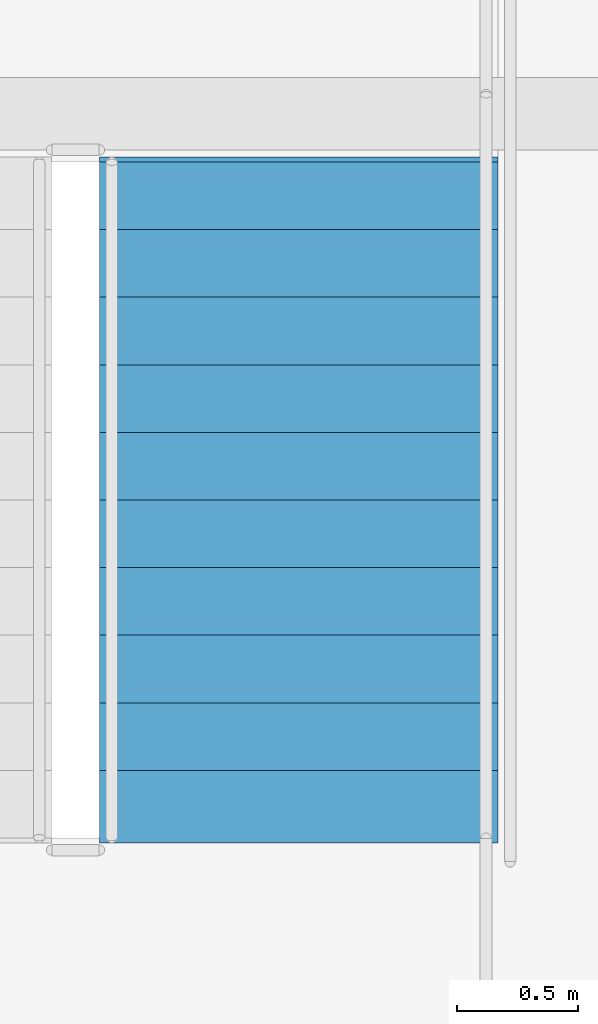
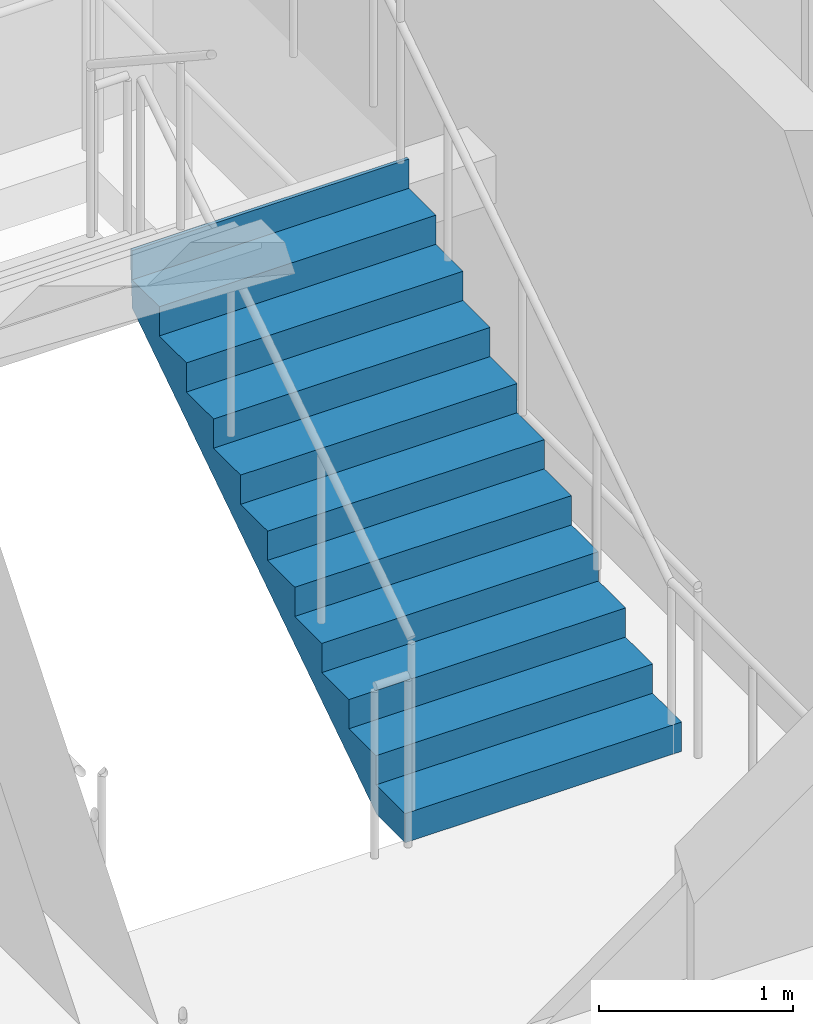
# One storey, part 37 of 42: 1 stair flight, 1 element without a shape of its own.
"""IFC4 building model written with IfcOpenShell, lengths in metres."""

from ifc_helpers import new_model, si_unit, direction, frame, origin, place, context, subcontext, project, spatial, polygons, material, type_object, element, aggregate, save


model = new_model("IFC4")

# Units and contexts
model_context = context("Model", 3, precision=1e-05, world=origin(), true_north=direction((0.0, 1.0)))
body_context = subcontext(model_context, "Body", "Model", "MODEL_VIEW")
ifc_project = project(units=[si_unit("LENGTHUNIT", "METRE"), si_unit("AREAUNIT", "SQUARE_METRE"), si_unit("VOLUMEUNIT", "CUBIC_METRE"), si_unit("PLANEANGLEUNIT", "RADIAN"), si_unit("MASSUNIT", "GRAM", prefix="KILO")], contexts=[model_context])

# Site, building, storey
site_placement = place(None, origin())
site = spatial("IfcSite", under=ifc_project, at=site_placement, CompositionType="ELEMENT")
building_placement = place(site_placement, origin())
building = spatial("IfcBuilding", under=site, at=building_placement, Name="Serunith Strait Residences", CompositionType="ELEMENT")
storey_placement = place(building_placement, frame((0.0, 0.0, 309.64990234375)))
storey = spatial("IfcBuildingStorey", under=building, at=storey_placement, Name="L77", CompositionType="ELEMENT", Elevation=309.64990234375)

# Stair, stair flight
ifc_material = material(Name="Concrete C50/60", Category="concrete")
stair_type = type_object("IfcStairType", Name="STR-CORE-1", PredefinedType="HALF_TURN_STAIR", material=ifc_material)
stair_placement = place(storey_placement, origin())
stair = element("IfcStair", 1, at=stair_placement, inside=storey, type_object=stair_type, Name="L77 Protected Escape Stair ST-1", PredefinedType="HALF_TURN_STAIR")
stair_flight_type = type_object("IfcStairFlightType", Name="FLT-CORE-1", PredefinedType="STRAIGHT", material=ifc_material)
stair_flight_placement = place(storey_placement, frame((26.324951171875, 27.030029296875, 0.0), z_axis=(0.0, 0.0, 1.0), x_axis=(0.0, 1.0, 0.0)))
stair_flight = element("IfcStairFlight", 2, at=stair_flight_placement, type_object=stair_flight_type, Name="ST-1 flight 1", NumberOfRisers=11, NumberOfTreads=10, PredefinedType="STRAIGHT", RiserHeight=0.184090909, TreadLength=0.28, context=body_context, shape_type="Tessellation", body=[
    polygons([(-0.02001953125, -0.824951171875, 0.0), (-0.02001953125, -0.824951171875, 0.18408203125), (0.280029296875, -0.824951171875, 0.18408203125), (0.280029296875, -0.824951171875, 0.3681640625), (0.56005859375, -0.824951171875, 0.3681640625), (0.56005859375, -0.824951171875, 0.55224609375), (0.840087890625, -0.824951171875, 0.55224609375), (0.840087890625, -0.824951171875, 0.736328125), (1.1201171875, -0.824951171875, 0.736328125), (1.1201171875, -0.824951171875, 0.92041015625), (1.39990234375, -0.824951171875, 0.92041015625), (1.39990234375, -0.824951171875, 1.1044921875), (1.679931640625, -0.824951171875, 1.1044921875), (1.679931640625, -0.824951171875, 1.28857421875), (1.9599609375, -0.824951171875, 1.28857421875), (1.9599609375, -0.824951171875, 1.47265625), (2.239990234375, -0.824951171875, 1.47265625), (2.239990234375, -0.824951171875, 1.65673828125), (2.52001953125, -0.824951171875, 1.65673828125), (2.52001953125, -0.824951171875, 1.8408203125), (2.800048828125, -0.824951171875, 1.8408203125), (2.800048828125, -0.824951171875, 2.02490234375), (2.820068359375, -0.824951171875, 2.02490234375), (2.820068359375, -0.824951171875, 1.965087890625), (2.800048828125, -0.824951171875, 1.66162109375), (0.27294921875, -0.824951171875, 0.0), (-0.02001953125, -0.41259765625, 0.0), (-0.02001953125, -0.41259765625, 0.18408203125), (0.280029296875, -0.41259765625, 0.18408203125), (0.280029296875, -0.41259765625, 0.3681640625), (0.56005859375, -0.41259765625, 0.3681640625), (0.56005859375, -0.41259765625, 0.55224609375), (0.840087890625, -0.41259765625, 0.55224609375), (0.840087890625, -0.41259765625, 0.736328125), (1.1201171875, -0.41259765625, 0.736328125), (1.1201171875, -0.41259765625, 0.92041015625), (1.39990234375, -0.41259765625, 0.92041015625), (1.39990234375, -0.41259765625, 1.1044921875), (1.679931640625, -0.41259765625, 1.1044921875), (1.679931640625, -0.41259765625, 1.28857421875), (1.9599609375, -0.41259765625, 1.28857421875), (1.9599609375, -0.41259765625, 1.47265625), (2.239990234375, -0.41259765625, 1.47265625), (2.239990234375, -0.41259765625, 1.65673828125), (2.52001953125, -0.41259765625, 1.65673828125), (2.52001953125, -0.41259765625, 1.8408203125), (2.800048828125, -0.41259765625, 1.8408203125), (2.800048828125, -0.41259765625, 2.02490234375), (2.820068359375, -0.41259765625, 2.02490234375), (2.820068359375, -0.41259765625, 1.965087890625), (2.800048828125, -0.41259765625, 1.66162109375), (0.27294921875, -0.41259765625, 0.0), (-0.02001953125, 0.0, 0.0), (-0.02001953125, 0.0, 0.18408203125), (0.280029296875, 0.0, 0.18408203125), (0.280029296875, 0.0, 0.3681640625), (0.56005859375, 0.0, 0.3681640625), (0.56005859375, 0.0, 0.55224609375), (0.840087890625, 0.0, 0.55224609375), (0.840087890625, 0.0, 0.736328125), (1.1201171875, 0.0, 0.736328125), (1.1201171875, 0.0, 0.92041015625), (1.39990234375, 0.0, 0.92041015625), (1.39990234375, 0.0, 1.1044921875), (1.679931640625, 0.0, 1.1044921875), (1.679931640625, 0.0, 1.28857421875), (1.9599609375, 0.0, 1.28857421875), (1.9599609375, 0.0, 1.47265625), (2.239990234375, 0.0, 1.47265625), (2.239990234375, 0.0, 1.65673828125), (2.52001953125, 0.0, 1.65673828125), (2.52001953125, 0.0, 1.8408203125), (2.800048828125, 0.0, 1.8408203125), (2.800048828125, 0.0, 2.02490234375), (2.820068359375, 0.0, 2.02490234375), (2.820068359375, 0.0, 1.965087890625), (2.800048828125, 0.0, 1.66162109375), (0.27294921875, 0.0, 0.0), (-0.02001953125, 0.41259765625, 0.0), (-0.02001953125, 0.41259765625, 0.18408203125), (0.280029296875, 0.41259765625, 0.18408203125), (0.280029296875, 0.41259765625, 0.3681640625), (0.56005859375, 0.41259765625, 0.3681640625), (0.56005859375, 0.41259765625, 0.55224609375), (0.840087890625, 0.41259765625, 0.55224609375), (0.840087890625, 0.41259765625, 0.736328125), (1.1201171875, 0.41259765625, 0.736328125), (1.1201171875, 0.41259765625, 0.92041015625), (1.39990234375, 0.41259765625, 0.92041015625), (1.39990234375, 0.41259765625, 1.1044921875), (1.679931640625, 0.41259765625, 1.1044921875), (1.679931640625, 0.41259765625, 1.28857421875), (1.9599609375, 0.41259765625, 1.28857421875), (1.9599609375, 0.41259765625, 1.47265625), (2.239990234375, 0.41259765625, 1.47265625), (2.239990234375, 0.41259765625, 1.65673828125), (2.52001953125, 0.41259765625, 1.65673828125), (2.52001953125, 0.41259765625, 1.8408203125), (2.800048828125, 0.41259765625, 1.8408203125), (2.800048828125, 0.41259765625, 2.02490234375), (2.820068359375, 0.41259765625, 2.02490234375), (2.820068359375, 0.41259765625, 1.965087890625), (2.800048828125, 0.41259765625, 1.66162109375), (0.27294921875, 0.41259765625, 0.0), (-0.02001953125, 0.824951171875, 0.0), (-0.02001953125, 0.824951171875, 0.18408203125), (0.280029296875, 0.824951171875, 0.18408203125), (0.280029296875, 0.824951171875, 0.3681640625), (0.56005859375, 0.824951171875, 0.3681640625), (0.56005859375, 0.824951171875, 0.55224609375), (0.840087890625, 0.824951171875, 0.55224609375), (0.840087890625, 0.824951171875, 0.736328125), (1.1201171875, 0.824951171875, 0.736328125), (1.1201171875, 0.824951171875, 0.92041015625), (1.39990234375, 0.824951171875, 0.92041015625), (1.39990234375, 0.824951171875, 1.1044921875), (1.679931640625, 0.824951171875, 1.1044921875), (1.679931640625, 0.824951171875, 1.28857421875), (1.9599609375, 0.824951171875, 1.28857421875), (1.9599609375, 0.824951171875, 1.47265625), (2.239990234375, 0.824951171875, 1.47265625), (2.239990234375, 0.824951171875, 1.65673828125), (2.52001953125, 0.824951171875, 1.65673828125), (2.52001953125, 0.824951171875, 1.8408203125), (2.800048828125, 0.824951171875, 1.8408203125), (2.800048828125, 0.824951171875, 2.02490234375), (2.820068359375, 0.824951171875, 2.02490234375), (2.820068359375, 0.824951171875, 1.965087890625), (2.800048828125, 0.824951171875, 1.66162109375), (0.27294921875, 0.824951171875, 0.0)], [[[1, 2, 28, 27]], [[2, 3, 29, 28]], [[3, 4, 30, 29]], [[4, 5, 31, 30]], [[5, 6, 32, 31]], [[6, 7, 33, 32]], [[7, 8, 34, 33]], [[8, 9, 35, 34]], [[9, 10, 36, 35]], [[10, 11, 37, 36]], [[11, 12, 38, 37]], [[12, 13, 39, 38]], [[13, 14, 40, 39]], [[14, 15, 41, 40]], [[15, 16, 42, 41]], [[16, 17, 43, 42]], [[17, 18, 44, 43]], [[18, 19, 45, 44]], [[19, 20, 46, 45]], [[20, 21, 47, 46]], [[21, 22, 48, 47]], [[22, 23, 49, 48]], [[23, 24, 50, 49]], [[24, 25, 51, 50]], [[25, 26, 52, 51]], [[26, 1, 27, 52]], [[27, 28, 54, 53]], [[28, 29, 55, 54]], [[29, 30, 56, 55]], [[30, 31, 57, 56]], [[31, 32, 58, 57]], [[32, 33, 59, 58]], [[33, 34, 60, 59]], [[34, 35, 61, 60]], [[35, 36, 62, 61]], [[36, 37, 63, 62]], [[37, 38, 64, 63]], [[38, 39, 65, 64]], [[39, 40, 66, 65]], [[40, 41, 67, 66]], [[41, 42, 68, 67]], [[42, 43, 69, 68]], [[43, 44, 70, 69]], [[44, 45, 71, 70]], [[45, 46, 72, 71]], [[46, 47, 73, 72]], [[47, 48, 74, 73]], [[48, 49, 75, 74]], [[49, 50, 76, 75]], [[50, 51, 77, 76]], [[51, 52, 78, 77]], [[52, 27, 53, 78]], [[53, 54, 80, 79]], [[54, 55, 81, 80]], [[55, 56, 82, 81]], [[56, 57, 83, 82]], [[57, 58, 84, 83]], [[58, 59, 85, 84]], [[59, 60, 86, 85]], [[60, 61, 87, 86]], [[61, 62, 88, 87]], [[62, 63, 89, 88]], [[63, 64, 90, 89]], [[64, 65, 91, 90]], [[65, 66, 92, 91]], [[66, 67, 93, 92]], [[67, 68, 94, 93]], [[68, 69, 95, 94]], [[69, 70, 96, 95]], [[70, 71, 97, 96]], [[71, 72, 98, 97]], [[72, 73, 99, 98]], [[73, 74, 100, 99]], [[74, 75, 101, 100]], [[75, 76, 102, 101]], [[76, 77, 103, 102]], [[77, 78, 104, 103]], [[78, 53, 79, 104]], [[79, 80, 106, 105]], [[80, 81, 107, 106]], [[81, 82, 108, 107]], [[82, 83, 109, 108]], [[83, 84, 110, 109]], [[84, 85, 111, 110]], [[85, 86, 112, 111]], [[86, 87, 113, 112]], [[87, 88, 114, 113]], [[88, 89, 115, 114]], [[89, 90, 116, 115]], [[90, 91, 117, 116]], [[91, 92, 118, 117]], [[92, 93, 119, 118]], [[93, 94, 120, 119]], [[94, 95, 121, 120]], [[95, 96, 122, 121]], [[96, 97, 123, 122]], [[97, 98, 124, 123]], [[98, 99, 125, 124]], [[99, 100, 126, 125]], [[100, 101, 127, 126]], [[101, 102, 128, 127]], [[102, 103, 129, 128]], [[103, 104, 130, 129]], [[104, 79, 105, 130]], [[26, 25, 24, 23, 22, 21, 20, 19, 18, 17, 16, 15, 14, 13, 12, 11, 10, 9, 8, 7, 6, 5, 4, 3, 2, 1]], [[105, 106, 107, 108, 109, 110, 111, 112, 113, 114, 115, 116, 117, 118, 119, 120, 121, 122, 123, 124, 125, 126, 127, 128, 129, 130]]], closed=True),
])
aggregate(stair, [stair_flight])

save(model, "model.ifc")
